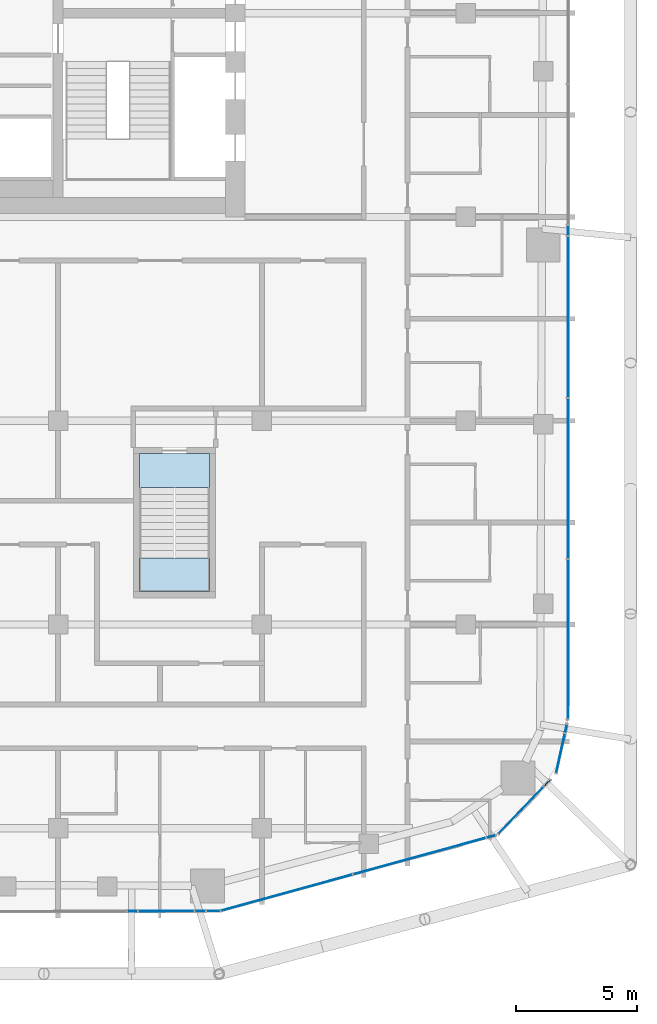
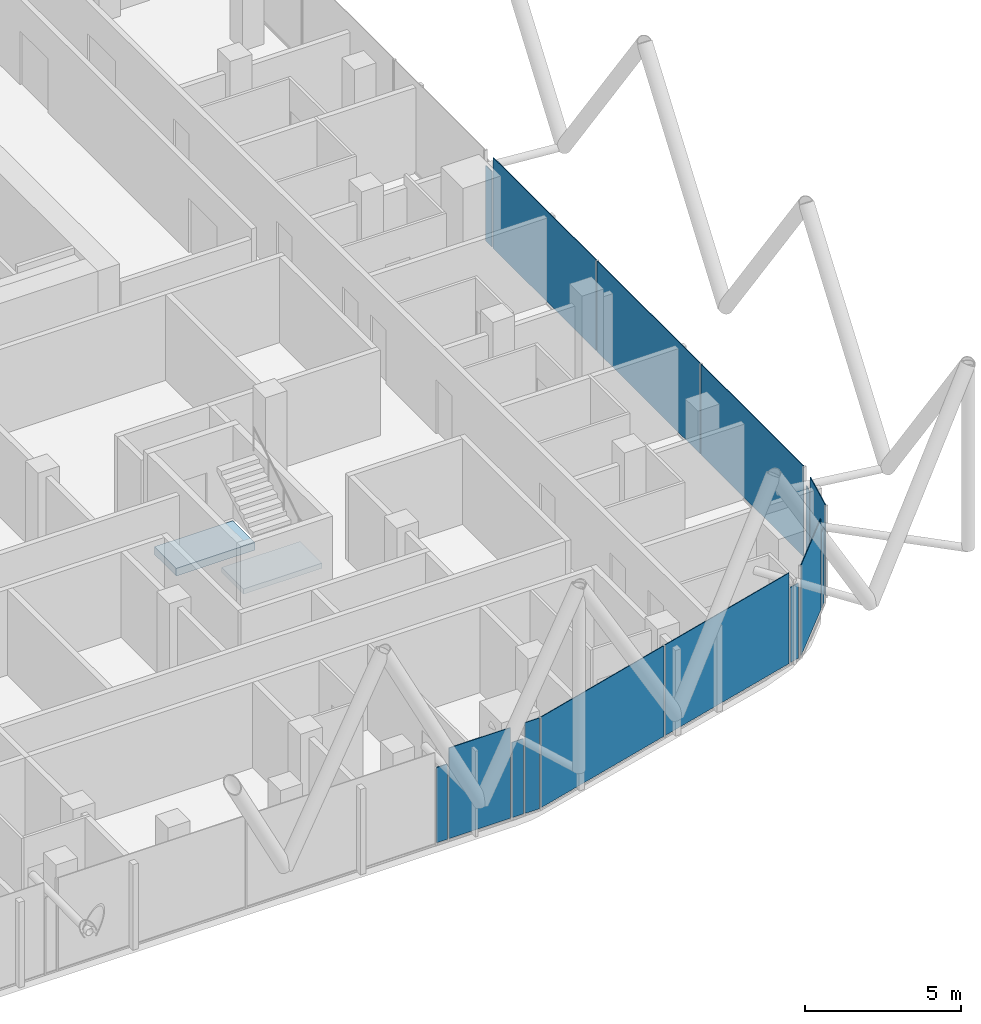
# One storey, part 18 of 31: 15 plates, 2 slabs, 13 elements without a shape of their own.
"""IFC4 building model written with IfcOpenShell, lengths in metres."""

from ifc_helpers import new_model, si_unit, direction, frame, origin, origin_2d, place, context, subcontext, project, spatial, polyline, rectangle, outline, extrude, material, layer, layer_set, type_object, element, aggregate, save


model = new_model("IFC4")

# Units and contexts
model_context = context("Model", 3, precision=1e-05, world=origin(), true_north=direction((0.0, 1.0)))
body_context = subcontext(model_context, "Body", "Model", "MODEL_VIEW")
ifc_project = project(units=[si_unit("LENGTHUNIT", "METRE"), si_unit("AREAUNIT", "SQUARE_METRE"), si_unit("VOLUMEUNIT", "CUBIC_METRE"), si_unit("PLANEANGLEUNIT", "RADIAN"), si_unit("MASSUNIT", "GRAM", prefix="KILO")], contexts=[model_context])

# Site, building, storey
site_placement = place(None, origin())
site = spatial("IfcSite", under=ifc_project, at=site_placement, CompositionType="ELEMENT")
building_placement = place(site_placement, origin())
building = spatial("IfcBuilding", under=site, at=building_placement, Name="Marenta Gate Hotel Tower", CompositionType="ELEMENT")
storey_placement = place(building_placement, frame((0.0, 0.0, 191.300048828125)))
storey = spatial("IfcBuildingStorey", under=building, at=storey_placement, Name="L43", CompositionType="ELEMENT", Elevation=191.300048828125)

# Curtain wall, plate
ifc_material_1 = material(Name="Tinted insulated glass in bronze anodised frame", Category="glass")
ifc_layer_1 = layer(ifc_material_1, 0.1201171875)
ifc_layer_set_1 = layer_set([ifc_layer_1], Name="Tinted insulated glass in bronze anodised frame")
curtain_wall_type = type_object("IfcCurtainWallType", Name="Tower unitised curtain wall CW1", PredefinedType="NOTDEFINED", material=ifc_layer_set_1)
curtain_wall_1_placement = place(storey_placement, origin())
curtain_wall_1 = element("IfcCurtainWall", 1, at=curtain_wall_1_placement, inside=storey, type_object=curtain_wall_type, Name="CW1 run G22", PredefinedType="NOTDEFINED")
ifc_material_2 = material(Name="Tinted insulated glass", Category="glass")
ifc_layer_2 = layer(ifc_material_2, 0.028076171875)
ifc_layer_set_2 = layer_set([ifc_layer_2], Name="Tinted insulated glass")
plate_type = type_object("IfcPlateType", Name="Glass panel CW1 28 mm tinted insulated unit", PredefinedType="CURTAIN_PANEL", material=ifc_layer_set_2)
plate_1_placement = place(storey_placement, frame((7.265869140625, -28.618408203125, 0.06005859375), z_axis=(0.0, 0.0, 1.0), x_axis=(0.999998441306, 0.001765611905, 0.0)))
plate_1 = element("IfcPlate", 2, at=plate_1_placement, type_object=plate_type, Name="CW1 panel 1.1", PredefinedType="CURTAIN_PANEL", context=body_context, shape_type="SweptSolid", body=[
    extrude(rectangle(XDim=0.39306640625, YDim=0.028076171875, at=origin_2d()), origin(), (0.0, 0.0, 1.0), 2.9404296875),
])
aggregate(curtain_wall_1, [plate_1])

curtain_wall_2_placement = place(storey_placement, origin())
curtain_wall_2 = element("IfcCurtainWall", 3, at=curtain_wall_2_placement, inside=storey, type_object=curtain_wall_type, Name="CW1 run G23", PredefinedType="NOTDEFINED")
plate_2_placement = place(storey_placement, frame((8.65869140625, -28.6162109375, 0.059814453125), z_axis=(0.0, 0.0, 1.0), x_axis=(0.999998672819, 0.001629220957, 0.0)))
plate_2 = element("IfcPlate", 4, at=plate_2_placement, type_object=plate_type, Name="CW1 panel 1.1", PredefinedType="CURTAIN_PANEL", context=body_context, shape_type="SweptSolid", body=[
    extrude(rectangle(XDim=2.2724609375, YDim=0.028076171875, at=origin_2d()), origin(), (0.0, 0.0, 1.0), 3.5400390625),
])
aggregate(curtain_wall_2, [plate_2])

curtain_wall_3_placement = place(storey_placement, origin())
curtain_wall_3 = element("IfcCurtainWall", 5, at=curtain_wall_3_placement, inside=storey, type_object=curtain_wall_type, Name="CW1 run G24", PredefinedType="NOTDEFINED")
plate_3_placement = place(storey_placement, frame((10.06201171875, -28.614013671875, 0.06005859375), z_axis=(0.0, 0.0, 1.0), x_axis=(0.999998577531, 0.001686693784, 0.0)))
plate_3 = element("IfcPlate", 6, at=plate_3_placement, type_object=plate_type, Name="CW1 panel 1.1", PredefinedType="CURTAIN_PANEL", context=body_context, shape_type="SweptSolid", body=[
    extrude(rectangle(XDim=0.414306640625, YDim=0.028076171875, at=origin_2d()), origin(), (0.0, 0.0, 1.0), 2.9404296875),
])
aggregate(curtain_wall_3, [plate_3])

curtain_wall_4_placement = place(storey_placement, origin())
curtain_wall_4 = element("IfcCurtainWall", 7, at=curtain_wall_4_placement, inside=storey, type_object=curtain_wall_type, Name="CW1 run G25", PredefinedType="NOTDEFINED")
plate_4_placement = place(storey_placement, frame((10.601318359375, -28.613037109375, 0.059814453125), z_axis=(0.0, 0.0, 1.0), x_axis=(0.999998631715, 0.001654257461, 0.0)))
plate_4 = element("IfcPlate", 8, at=plate_4_placement, type_object=plate_type, Name="CW1 panel 1.1", PredefinedType="CURTAIN_PANEL", context=body_context, shape_type="SweptSolid", body=[
    extrude(rectangle(XDim=0.54443359375, YDim=0.028076171875, at=origin_2d()), origin(), (0.0, 0.0, 1.0), 3.5400390625),
])
aggregate(curtain_wall_4, [plate_4])

# Curtain wall, plates
curtain_wall_5_placement = place(storey_placement, origin())
curtain_wall_5 = element("IfcCurtainWall", 9, at=curtain_wall_5_placement, inside=storey, type_object=curtain_wall_type, Name="CW1 run G26", PredefinedType="NOTDEFINED")
plate_5_placement = place(storey_placement, frame((13.624755859375, -27.85546875, 0.059814453125), z_axis=(0.0, 0.0, 1.0), x_axis=(0.964167605329, 0.265293853742, 0.0)))
plate_5 = element("IfcPlate", 10, at=plate_5_placement, type_object=plate_type, Name="CW1 panel 1.1", PredefinedType="CURTAIN_PANEL", context=body_context, shape_type="SweptSolid", body=[
    extrude(rectangle(XDim=5.58642578125, YDim=0.028076171875, at=origin_2d()), origin(), (0.0, 0.0, 1.0), 3.5400390625),
])
plate_6_placement = place(storey_placement, frame((19.09765625, -26.349609375, 0.059814453125), z_axis=(0.0, 0.0, 1.0), x_axis=(0.964167605329, 0.265293853742, 0.0)))
plate_6 = element("IfcPlate", 11, at=plate_6_placement, type_object=plate_type, Name="CW1 panel 2.1", PredefinedType="CURTAIN_PANEL", context=body_context, shape_type="SweptSolid", body=[
    extrude(rectangle(XDim=5.646240234375, YDim=0.028076171875, at=origin_2d()), origin(), (0.0, 0.0, 1.0), 3.5400390625),
])
aggregate(curtain_wall_5, [plate_5, plate_6])

# Curtain wall, plate
curtain_wall_6_placement = place(storey_placement, origin())
curtain_wall_6 = element("IfcCurtainWall", 12, at=curtain_wall_6_placement, inside=storey, type_object=curtain_wall_type, Name="CW1 run G27", PredefinedType="NOTDEFINED")
plate_7_placement = place(storey_placement, frame((22.04931640625, -25.53759765625, 0.06005859375), z_axis=(0.0, 0.0, 1.0), x_axis=(0.964170506749, 0.265283308776, 0.0)))
plate_7 = element("IfcPlate", 13, at=plate_7_placement, type_object=plate_type, Name="CW1 panel 1.1", PredefinedType="CURTAIN_PANEL", context=body_context, shape_type="SweptSolid", body=[
    extrude(rectangle(XDim=0.3564453125, YDim=0.028076171875, at=origin_2d()), origin(), (0.0, 0.0, 1.0), 2.9404296875),
])
aggregate(curtain_wall_6, [plate_7])

curtain_wall_7_placement = place(storey_placement, origin())
curtain_wall_7 = element("IfcCurtainWall", 14, at=curtain_wall_7_placement, inside=storey, type_object=curtain_wall_type, Name="CW1 run G28", PredefinedType="NOTDEFINED")
plate_8_placement = place(storey_placement, frame((23.284912109375, -24.461669921875, 0.059814453125), z_axis=(0.0, 0.0, 1.0), x_axis=(0.692544874237, 0.721374796599, 0.0)))
plate_8 = element("IfcPlate", 15, at=plate_8_placement, type_object=plate_type, Name="CW1 panel 1.1", PredefinedType="CURTAIN_PANEL", context=body_context, shape_type="SweptSolid", body=[
    extrude(rectangle(XDim=2.652587890625, YDim=0.028076171875, at=origin_2d()), origin(), (0.0, 0.0, 1.0), 3.5400390625),
])
aggregate(curtain_wall_7, [plate_8])

curtain_wall_8_placement = place(storey_placement, origin())
curtain_wall_8 = element("IfcCurtainWall", 16, at=curtain_wall_8_placement, inside=storey, type_object=curtain_wall_type, Name="CW1 run G29", PredefinedType="NOTDEFINED")
plate_9_placement = place(storey_placement, frame((24.360107421875, -23.341552734375, 0.06005859375), z_axis=(0.0, 0.0, 1.0), x_axis=(0.692499661278, 0.721418199888, 0.0)))
plate_9 = element("IfcPlate", 17, at=plate_9_placement, type_object=plate_type, Name="CW1 panel 1.1", PredefinedType="CURTAIN_PANEL", context=body_context, shape_type="SweptSolid", body=[
    extrude(rectangle(XDim=0.3330078125, YDim=0.028076171875, at=origin_2d()), origin(), (0.0, 0.0, 1.0), 2.9404296875),
])
aggregate(curtain_wall_8, [plate_9])

curtain_wall_9_placement = place(storey_placement, origin())
curtain_wall_9 = element("IfcCurtainWall", 18, at=curtain_wall_9_placement, inside=storey, type_object=curtain_wall_type, Name="CW1 run G30", PredefinedType="NOTDEFINED")
plate_10_placement = place(storey_placement, frame((24.910400390625, -22.110595703125, 0.059814453125), z_axis=(0.0, 0.0, 1.0), x_axis=(0.21681792113, 0.97621206153, 0.0)))
plate_10 = element("IfcPlate", 19, at=plate_10_placement, type_object=plate_type, Name="CW1 panel 1.1", PredefinedType="CURTAIN_PANEL", context=body_context, shape_type="SweptSolid", body=[
    extrude(rectangle(XDim=1.633544921875, YDim=0.028076171875, at=origin_2d()), origin(), (0.0, 0.0, 1.0), 3.5400390625),
])
aggregate(curtain_wall_9, [plate_10])

curtain_wall_10_placement = place(storey_placement, origin())
curtain_wall_10 = element("IfcCurtainWall", 20, at=curtain_wall_10_placement, inside=storey, type_object=curtain_wall_type, Name="CW1 run G31", PredefinedType="NOTDEFINED")
plate_11_placement = place(storey_placement, frame((25.13671875, -21.091796875, 0.06005859375), z_axis=(0.0, 0.0, 1.0), x_axis=(0.216883782439, 0.976197431319, 0.0)))
plate_11 = element("IfcPlate", 21, at=plate_11_placement, type_object=plate_type, Name="CW1 panel 1.1", PredefinedType="CURTAIN_PANEL", context=body_context, shape_type="SweptSolid", body=[
    extrude(rectangle(XDim=0.333740234375, YDim=0.028076171875, at=origin_2d()), origin(), (0.0, 0.0, 1.0), 2.9404296875),
])
aggregate(curtain_wall_10, [plate_11])

# Curtain wall, plates
curtain_wall_11_placement = place(storey_placement, origin())
curtain_wall_11 = element("IfcCurtainWall", 22, at=curtain_wall_11_placement, inside=storey, type_object=curtain_wall_type, Name="CW1 run G32", PredefinedType="NOTDEFINED")
plate_12_placement = place(storey_placement, frame((25.214111328125, -17.40869140625, 0.059814453125), z_axis=(0.0, 0.0, 1.0), x_axis=(0.0, 1.0, 0.0)))
plate_12 = element("IfcPlate", 23, at=plate_12_placement, type_object=plate_type, Name="CW1 panel 1.1", PredefinedType="CURTAIN_PANEL", context=body_context, shape_type="SweptSolid", body=[
    extrude(rectangle(XDim=6.55029296875, YDim=0.028076171875, at=origin_2d()), origin(), (0.0, 0.0, 1.0), 3.5400390625),
])
plate_13_placement = place(storey_placement, frame((25.214111328125, -10.783447265625, 0.059814453125), z_axis=(0.0, 0.0, 1.0), x_axis=(0.0, 1.0, 0.0)))
plate_13 = element("IfcPlate", 24, at=plate_13_placement, type_object=plate_type, Name="CW1 panel 2.1", PredefinedType="CURTAIN_PANEL", context=body_context, shape_type="SweptSolid", body=[
    extrude(rectangle(XDim=6.580322265625, YDim=0.028076171875, at=origin_2d()), origin(), (0.0, 0.0, 1.0), 3.5400390625),
])
plate_14_placement = place(storey_placement, frame((25.214111328125, -4.128173828125, 0.059814453125), z_axis=(0.0, 0.0, 1.0), x_axis=(0.0, 1.0, 0.0)))
plate_14 = element("IfcPlate", 25, at=plate_14_placement, type_object=plate_type, Name="CW1 panel 3.1", PredefinedType="CURTAIN_PANEL", context=body_context, shape_type="SweptSolid", body=[
    extrude(rectangle(XDim=6.6103515625, YDim=0.028076171875, at=origin_2d()), origin(), (0.0, 0.0, 1.0), 3.5400390625),
])
aggregate(curtain_wall_11, [plate_12, plate_13, plate_14])

# Curtain wall, plate
curtain_wall_12_placement = place(storey_placement, origin())
curtain_wall_12 = element("IfcCurtainWall", 26, at=curtain_wall_12_placement, inside=storey, type_object=curtain_wall_type, Name="CW1 run G33", PredefinedType="NOTDEFINED")
plate_15_placement = place(storey_placement, frame((25.214111328125, -0.5654296875, 0.06005859375), z_axis=(0.0, 0.0, 1.0), x_axis=(0.0, 1.0, 0.0)))
plate_15 = element("IfcPlate", 27, at=plate_15_placement, type_object=plate_type, Name="CW1 panel 1.1", PredefinedType="CURTAIN_PANEL", context=body_context, shape_type="SweptSolid", body=[
    extrude(rectangle(XDim=0.395263671875, YDim=0.028076171875, at=origin_2d()), origin(), (0.0, 0.0, 1.0), 2.9404296875),
])
aggregate(curtain_wall_12, [plate_15])

# Stair, slab
ifc_material_3 = material(Name="Concrete C40", Category="concrete")
stair_type = type_object("IfcStairType", Name="Remote exit stair 1400 wide", PredefinedType="HALF_TURN_STAIR", material=ifc_material_3)
stair_placement = place(storey_placement, origin())
stair = element("IfcStair", 28, at=stair_placement, inside=storey, type_object=stair_type, Name="Exit stair RS-Z3-2", PredefinedType="HALF_TURN_STAIR")
ifc_material_4 = material(Name="Concrete C40", Category="concrete")
ifc_layer_3 = layer(ifc_material_4, 0.199951171875)
ifc_layer_set_3 = layer_set([ifc_layer_3], Name="Concrete C40")
slab_type_1 = type_object("IfcSlabType", Name="Remote stair landing 200", PredefinedType="LANDING", material=ifc_layer_set_3)
slab_1_placement = place(storey_placement, frame((0.0, 0.0, 1.599853515625)))
slab_1 = element("IfcSlab", 29, at=slab_1_placement, type_object=slab_type_1, Name="RL-200 RS-Z3-2 landing 1", PredefinedType="LANDING", context=body_context, shape_type="SweptSolid", body=[
    extrude(outline(polyline([(7.550048828125, -15.449951171875), (10.449951171875, -15.449951171875), (10.449951171875, -14.050048828125), (7.550048828125, -14.050048828125), (7.550048828125, -15.449951171875)])), origin(), (0.0, 0.0, 1.0), 0.2001953125),
])
aggregate(stair, [slab_1])

# Slab
ifc_material_5 = material(Name="Concrete C40", Category="concrete")
ifc_layer_4 = layer(ifc_material_5, 0.300048828125)
ifc_layer_set_4 = layer_set([ifc_layer_4], Name="Concrete C40")
slab_type_2 = type_object("IfcSlabType", Name="Stair floor landing slab 300", PredefinedType="FLOOR", material=ifc_layer_set_4)
slab_2_placement = place(storey_placement, frame((0.0, 0.0, -0.300048828125)))
element("IfcSlab", 30, at=slab_2_placement, inside=storey, type_object=slab_type_2, Name="L43-RS-Z3-2-CL", PredefinedType="FLOOR", context=body_context, shape_type="SweptSolid", body=[
    extrude(outline(polyline([(10.449951171875, -11.14990234375), (10.449951171875, -9.75), (7.550048828125, -9.75), (7.550048828125, -11.14990234375), (10.449951171875, -11.14990234375)])), origin(), (0.0, 0.0, 1.0), 0.300048828125),
])

save(model, "model.ifc")
